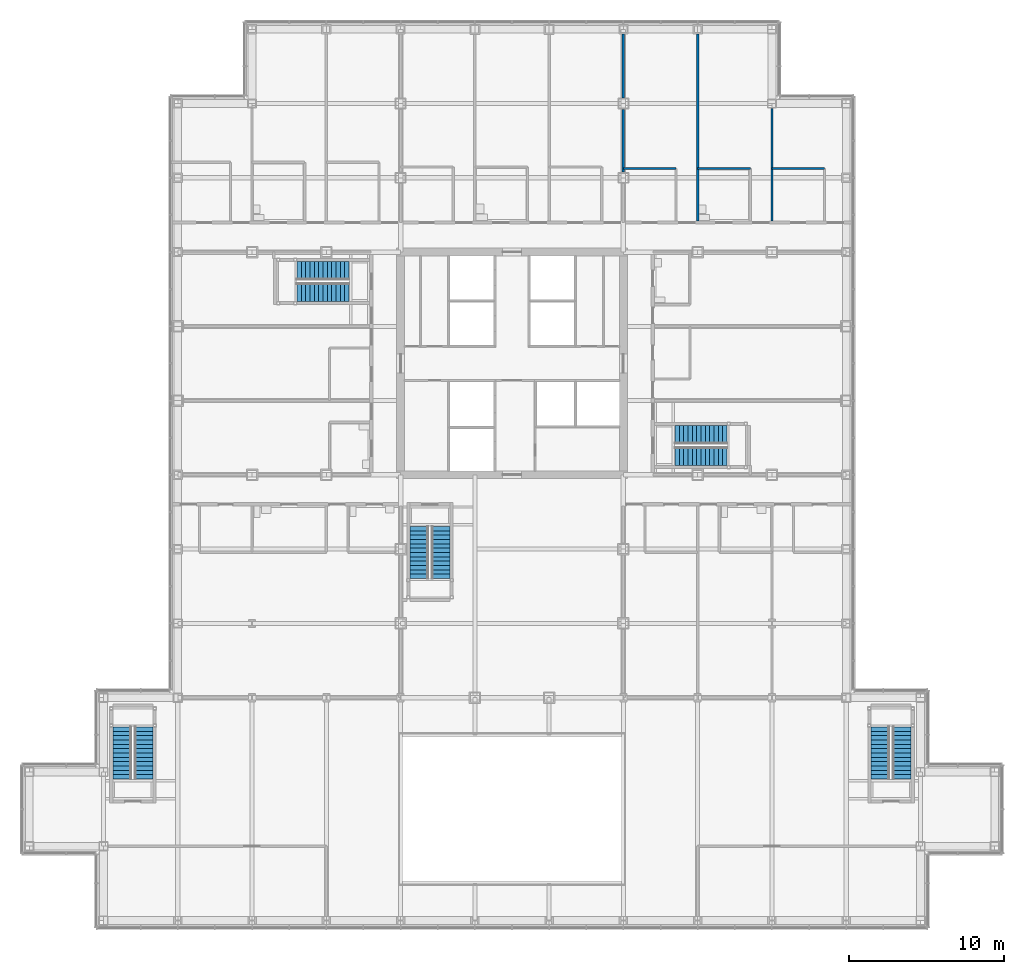
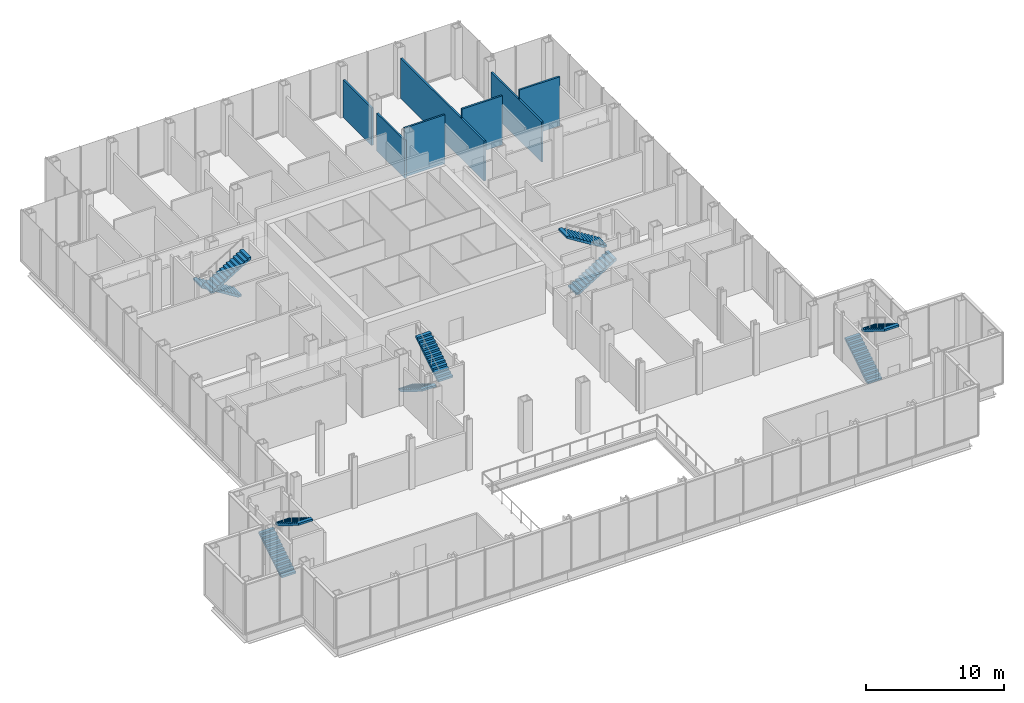
# One storey, part 24 of 26: 10 stair flights, 7 walls, 5 elements without a shape of their own.
"""IFC4 building model written with IfcOpenShell, lengths in metres."""

from ifc_helpers import new_model, si_unit, direction, frame, frame_2d, origin, place, context, subcontext, project, spatial, polyline, rectangle, outline, extrude, material, layer, layer_set, type_object, element, aggregate, save


model = new_model("IFC4")

# Units and contexts
model_context = context("Model", 3, precision=1e-05, world=origin(), true_north=direction((0.0, 1.0)))
body_context = subcontext(model_context, "Body", "Model", "MODEL_VIEW")
ifc_project = project(units=[si_unit("LENGTHUNIT", "METRE"), si_unit("AREAUNIT", "SQUARE_METRE"), si_unit("VOLUMEUNIT", "CUBIC_METRE"), si_unit("PLANEANGLEUNIT", "RADIAN"), si_unit("MASSUNIT", "GRAM", prefix="KILO")], contexts=[model_context])

# Site, building, storey
site_placement = place(None, origin())
site = spatial("IfcSite", under=ifc_project, at=site_placement, CompositionType="ELEMENT")
building_placement = place(site_placement, origin())
building = spatial("IfcBuilding", under=site, at=building_placement, Name="Kvirike Care Tower", CompositionType="ELEMENT")
storey_placement = place(building_placement, frame((0.0, 0.0, 18.0)))
storey = spatial("IfcBuildingStorey", under=building, at=storey_placement, Name="L04", CompositionType="ELEMENT", Elevation=18.0)

# Walls
ifc_material_1 = material(Name="Plasterboard partition", Category="gypsum")
ifc_layer = layer(ifc_material_1, 0.14990234375)
ifc_layer_set = layer_set([ifc_layer], Name="CLINIC PARTITION 150")
wall_type = type_object("IfcWallType", Name="CLINIC PARTITION 150", PredefinedType="PARTITIONING", material=ifc_layer_set)
wall_1_placement = place(storey_placement, frame((41.800048828125, 48.60009765625, 0.0), z_axis=(0.0, 0.0, 1.0), x_axis=(-1.0, 0.0, 0.0)))
element("IfcWall", 1, at=wall_1_placement, inside=storey, type_object=wall_type, Name="Clinic Partition 150 L04", PredefinedType="PARTITIONING", context=body_context, shape_type="SweptSolid", body=[
    extrude(rectangle(XDim=3.400146484375, YDim=0.14990234375, at=frame_2d((1.7001953125, 0.0))), origin(), (0.0, 0.0, 1.0), 4.330078125),
])
for number, where, z_axis, x_axis, name in (
    (2, (37.0, 48.60009765625, 0.0), (0.0, 0.0, 1.0), (-1.0, 0.0, 0.0), "Clinic Partition 150 L04"),
    (3, (32.199951171875, 48.60009765625, 0.0), (0.0, 0.0, 1.0), (-1.0, 0.0, 0.0), "Clinic Partition 150 L04"),
):
    element("IfcWall", number, at=place(storey_placement, frame(where, z_axis=z_axis, x_axis=x_axis)), inside=storey, type_object=wall_type, Name=name, PredefinedType="PARTITIONING", context=body_context, shape_type="SweptSolid", body=[
        extrude(rectangle(XDim=3.39990234375, YDim=0.14990234375, at=frame_2d((1.699951171875, 0.0))), origin(), (0.0, 0.0, 1.0), 4.330078125),
    ])
wall_2_placement = place(storey_placement, frame((38.39990234375, 52.47998046875, 0.0), z_axis=(0.0, 0.0, 1.0), x_axis=(0.0, -1.0, 0.0)))
element("IfcWall", 4, at=wall_2_placement, inside=storey, type_object=wall_type, Name="Clinic Partition 150 L04", PredefinedType="PARTITIONING", context=body_context, shape_type="SweptSolid", body=[
    extrude(rectangle(XDim=7.280029296875, YDim=0.14990234375, at=frame_2d((3.64013671875, 0.0))), origin(), (0.0, 0.0, 1.0), 3.550048828125),
])
wall_3_placement = place(storey_placement, frame((33.60009765625, 57.280029296875, 0.0), z_axis=(0.0, 0.0, 1.0), x_axis=(0.0, -1.0, 0.0)))
element("IfcWall", 5, at=wall_3_placement, inside=storey, type_object=wall_type, Name="Clinic Partition 150 L04", PredefinedType="PARTITIONING", context=body_context, shape_type="SweptSolid", body=[
    extrude(rectangle(XDim=12.080078125, YDim=0.14990234375, at=frame_2d((6.0400390625, 0.0))), origin(), (0.0, 0.0, 1.0), 3.550048828125),
])
wall_4_placement = place(storey_placement, frame((28.800048828125, 48.3701171875, 0.0), z_axis=(0.0, 0.0, 1.0), x_axis=(0.0, 1.0, 0.0)))
element("IfcWall", 6, at=wall_4_placement, inside=storey, type_object=wall_type, Name="Clinic Partition 150 L04", PredefinedType="PARTITIONING", context=body_context, shape_type="SweptSolid", body=[
    extrude(rectangle(XDim=4.059814453125, YDim=0.14990234375, at=frame_2d((2.02978515625, 0.0))), origin(), (0.0, 0.0, 1.0), 3.320068359375),
])
wall_5_placement = place(storey_placement, frame((28.800048828125, 53.169921875, 0.0), z_axis=(0.0, 0.0, 1.0), x_axis=(0.0, 1.0, 0.0)))
element("IfcWall", 7, at=wall_5_placement, inside=storey, type_object=wall_type, Name="Clinic Partition 150 L04", PredefinedType="PARTITIONING", context=body_context, shape_type="SweptSolid", body=[
    extrude(rectangle(XDim=4.110107421875, YDim=0.14990234375, at=frame_2d((2.05517578125, 0.0))), origin(), (0.0, 0.0, 1.0), 3.320068359375),
])

# Stair, stair flights
ifc_material_2 = material(Name="Concrete C35/45", Category="concrete")
stair_type = type_object("IfcStairType", Name="STAIR 26 RISERS", PredefinedType="HALF_TURN_STAIR", material=ifc_material_2)
stair_1_placement = place(storey_placement, origin())
stair_1 = element("IfcStair", 8, at=stair_1_placement, inside=storey, type_object=stair_type, Name="Stair 1 L04", PredefinedType="HALF_TURN_STAIR")
ifc_material_3 = material(Name="Concrete C35/45", Category="concrete")
stair_flight_type = type_object("IfcStairFlightType", Name="FLIGHT 13 RISERS", PredefinedType="STRAIGHT", material=ifc_material_3)
stair_flight_1_placement = place(storey_placement, frame((11.06005859375, 42.0, 0.0), z_axis=(0.0, 0.0, 1.0), x_axis=(-1.0, 0.0, 0.0)))
stair_flight_1 = element("IfcStairFlight", 9, at=stair_flight_1_placement, type_object=stair_flight_type, Name="Stair S1 flight 1 L04-L05", NumberOfRisers=13, NumberOfTreads=12, PredefinedType="STRAIGHT", RiserHeight=0.173076923, TreadLength=0.28, context=body_context, shape_type="SweptSolid", body=[
    extrude(outline(polyline([(0.0, 0.0), (0.0, 0.173095703125), (0.280029296875, 0.173095703125), (0.280029296875, 0.34619140625), (0.56005859375, 0.34619140625), (0.56005859375, 0.519287109375), (0.840087890625, 0.519287109375), (0.840087890625, 0.6923828125), (1.1201171875, 0.6923828125), (1.1201171875, 0.865478515625), (1.39990234375, 0.865478515625), (1.39990234375, 1.03857421875), (1.679931640625, 1.03857421875), (1.679931640625, 1.21142578125), (1.9599609375, 1.21142578125), (1.9599609375, 1.384521484375), (2.239990234375, 1.384521484375), (2.239990234375, 1.5576171875), (2.52001953125, 1.5576171875), (2.52001953125, 1.730712890625), (2.800048828125, 1.730712890625), (2.800048828125, 1.90380859375), (3.080078125, 1.90380859375), (3.080078125, 2.076904296875), (3.360107421875, 2.076904296875), (3.360107421875, 2.25), (3.360107421875, 1.900634765625), (0.28515625, 0.0), (0.0, 0.0)])), frame((0.0, 0.60009765625, 0.0), z_axis=(0.0, -1.0, 0.0), x_axis=(1.0, 0.0, 0.0)), (0.0, 0.0, 1.0), 1.199951171875),
])
stair_flight_2_placement = place(storey_placement, frame((7.699951171875, 40.60009765625, 2.25), z_axis=(0.0, 0.0, 1.0), x_axis=(1.0, 0.0, 0.0)))
stair_flight_2 = element("IfcStairFlight", 10, at=stair_flight_2_placement, type_object=stair_flight_type, Name="Stair S1 flight 2 L04-L05", NumberOfRisers=13, NumberOfTreads=12, PredefinedType="STRAIGHT", RiserHeight=0.173076923, TreadLength=0.28, context=body_context, shape_type="SweptSolid", body=[
    extrude(outline(polyline([(0.0, 0.0), (0.0, 0.173095703125), (0.280029296875, 0.173095703125), (0.280029296875, 0.34619140625), (0.56005859375, 0.34619140625), (0.56005859375, 0.519287109375), (0.840087890625, 0.519287109375), (0.840087890625, 0.6923828125), (1.1201171875, 0.6923828125), (1.1201171875, 0.865478515625), (1.39990234375, 0.865478515625), (1.39990234375, 1.03857421875), (1.679931640625, 1.03857421875), (1.679931640625, 1.21142578125), (1.9599609375, 1.21142578125), (1.9599609375, 1.384521484375), (2.239990234375, 1.384521484375), (2.239990234375, 1.5576171875), (2.52001953125, 1.5576171875), (2.52001953125, 1.730712890625), (2.800048828125, 1.730712890625), (2.800048828125, 1.90380859375), (3.080078125, 1.90380859375), (3.080078125, 2.076904296875), (3.360107421875, 2.076904296875), (3.360107421875, 2.25), (3.360107421875, 1.900634765625), (0.28515625, 0.0), (0.0, 0.0)])), frame((0.0, 0.60009765625, 0.0), z_axis=(0.0, -1.0, 0.0), x_axis=(1.0, 0.0, 0.0)), (0.0, 0.0, 1.0), 1.199951171875),
])
aggregate(stair_1, [stair_flight_1, stair_flight_2])

stair_2_placement = place(storey_placement, origin())
stair_2 = element("IfcStair", 11, at=stair_2_placement, inside=storey, type_object=stair_type, Name="Stair 2 L04", PredefinedType="HALF_TURN_STAIR")
stair_flight_3_placement = place(storey_placement, frame((32.139892578125, 30.0, 0.0), z_axis=(0.0, 0.0, 1.0), x_axis=(1.0, 0.0, 0.0)))
stair_flight_3 = element("IfcStairFlight", 12, at=stair_flight_3_placement, type_object=stair_flight_type, Name="Stair S2 flight 1 L04-L05", NumberOfRisers=13, NumberOfTreads=12, PredefinedType="STRAIGHT", RiserHeight=0.173076923, TreadLength=0.28, context=body_context, shape_type="SweptSolid", body=[
    extrude(outline(polyline([(0.0, 0.0), (0.0, 0.173095703125), (0.280029296875, 0.173095703125), (0.280029296875, 0.34619140625), (0.56005859375, 0.34619140625), (0.56005859375, 0.519287109375), (0.840087890625, 0.519287109375), (0.840087890625, 0.6923828125), (1.1201171875, 0.6923828125), (1.1201171875, 0.865478515625), (1.39990234375, 0.865478515625), (1.39990234375, 1.03857421875), (1.679931640625, 1.03857421875), (1.679931640625, 1.21142578125), (1.9599609375, 1.21142578125), (1.9599609375, 1.384521484375), (2.239990234375, 1.384521484375), (2.239990234375, 1.5576171875), (2.52001953125, 1.5576171875), (2.52001953125, 1.730712890625), (2.800048828125, 1.730712890625), (2.800048828125, 1.90380859375), (3.080078125, 1.90380859375), (3.080078125, 2.076904296875), (3.360107421875, 2.076904296875), (3.360107421875, 2.25), (3.360107421875, 1.900634765625), (0.28515625, 0.0), (0.0, 0.0)])), frame((0.0, 0.60009765625, 0.0), z_axis=(0.0, -1.0, 0.0), x_axis=(1.0, 0.0, 0.0)), (0.0, 0.0, 1.0), 1.199951171875),
])
stair_flight_4_placement = place(storey_placement, frame((35.5, 31.39990234375, 2.25), z_axis=(0.0, 0.0, 1.0), x_axis=(-1.0, 0.0, 0.0)))
stair_flight_4 = element("IfcStairFlight", 13, at=stair_flight_4_placement, type_object=stair_flight_type, Name="Stair S2 flight 2 L04-L05", NumberOfRisers=13, NumberOfTreads=12, PredefinedType="STRAIGHT", RiserHeight=0.173076923, TreadLength=0.28, context=body_context, shape_type="SweptSolid", body=[
    extrude(outline(polyline([(0.0, 0.0), (0.0, 0.173095703125), (0.280029296875, 0.173095703125), (0.280029296875, 0.34619140625), (0.56005859375, 0.34619140625), (0.56005859375, 0.519287109375), (0.840087890625, 0.519287109375), (0.840087890625, 0.6923828125), (1.1201171875, 0.6923828125), (1.1201171875, 0.865478515625), (1.39990234375, 0.865478515625), (1.39990234375, 1.03857421875), (1.679931640625, 1.03857421875), (1.679931640625, 1.21142578125), (1.9599609375, 1.21142578125), (1.9599609375, 1.384521484375), (2.239990234375, 1.384521484375), (2.239990234375, 1.5576171875), (2.52001953125, 1.5576171875), (2.52001953125, 1.730712890625), (2.800048828125, 1.730712890625), (2.800048828125, 1.90380859375), (3.080078125, 1.90380859375), (3.080078125, 2.076904296875), (3.360107421875, 2.076904296875), (3.360107421875, 2.25), (3.360107421875, 1.900634765625), (0.28515625, 0.0), (0.0, 0.0)])), frame((0.0, 0.60009765625, 0.0), z_axis=(0.0, -1.0, 0.0), x_axis=(1.0, 0.0, 0.0)), (0.0, 0.0, 1.0), 1.199951171875),
])
aggregate(stair_2, [stair_flight_3, stair_flight_4])

stair_3_placement = place(storey_placement, origin())
stair_3 = element("IfcStair", 14, at=stair_3_placement, inside=storey, type_object=stair_type, Name="Stair 3 L04", PredefinedType="HALF_TURN_STAIR")
stair_flight_5_placement = place(storey_placement, frame((-3.60009765625, 9.139892578125, 0.0), z_axis=(0.0, 0.0, 1.0), x_axis=(0.0, 1.0, 0.0)))
stair_flight_5 = element("IfcStairFlight", 15, at=stair_flight_5_placement, type_object=stair_flight_type, Name="Stair S3 flight 1 L04-L05", NumberOfRisers=13, NumberOfTreads=12, PredefinedType="STRAIGHT", RiserHeight=0.173076923, TreadLength=0.28, context=body_context, shape_type="SweptSolid", body=[
    extrude(outline(polyline([(0.0, 0.0), (0.0, 0.173095703125), (0.280029296875, 0.173095703125), (0.280029296875, 0.34619140625), (0.56005859375, 0.34619140625), (0.56005859375, 0.519287109375), (0.840087890625, 0.519287109375), (0.840087890625, 0.6923828125), (1.1201171875, 0.6923828125), (1.1201171875, 0.865478515625), (1.39990234375, 0.865478515625), (1.39990234375, 1.03857421875), (1.679931640625, 1.03857421875), (1.679931640625, 1.21142578125), (1.9599609375, 1.21142578125), (1.9599609375, 1.384521484375), (2.239990234375, 1.384521484375), (2.239990234375, 1.5576171875), (2.52001953125, 1.5576171875), (2.52001953125, 1.730712890625), (2.800048828125, 1.730712890625), (2.800048828125, 1.90380859375), (3.080078125, 1.90380859375), (3.080078125, 2.076904296875), (3.360107421875, 2.076904296875), (3.360107421875, 2.25), (3.360107421875, 1.900634765625), (0.28515625, 0.0), (0.0, 0.0)])), frame((0.0, 0.60009765625, 0.0), z_axis=(0.0, -1.0, 0.0), x_axis=(1.0, 0.0, 0.0)), (0.0, 0.0, 1.0), 1.199951171875),
])
stair_flight_6_placement = place(storey_placement, frame((-2.199951171875, 12.5, 2.25), z_axis=(0.0, 0.0, 1.0), x_axis=(0.0, -1.0, 0.0)))
stair_flight_6 = element("IfcStairFlight", 16, at=stair_flight_6_placement, type_object=stair_flight_type, Name="Stair S3 flight 2 L04-L05", NumberOfRisers=13, NumberOfTreads=12, PredefinedType="STRAIGHT", RiserHeight=0.173076923, TreadLength=0.28, context=body_context, shape_type="SweptSolid", body=[
    extrude(outline(polyline([(0.0, 0.0), (0.0, 0.173095703125), (0.280029296875, 0.173095703125), (0.280029296875, 0.34619140625), (0.56005859375, 0.34619140625), (0.56005859375, 0.519287109375), (0.840087890625, 0.519287109375), (0.840087890625, 0.6923828125), (1.1201171875, 0.6923828125), (1.1201171875, 0.865478515625), (1.39990234375, 0.865478515625), (1.39990234375, 1.03857421875), (1.679931640625, 1.03857421875), (1.679931640625, 1.21142578125), (1.9599609375, 1.21142578125), (1.9599609375, 1.384521484375), (2.239990234375, 1.384521484375), (2.239990234375, 1.5576171875), (2.52001953125, 1.5576171875), (2.52001953125, 1.730712890625), (2.800048828125, 1.730712890625), (2.800048828125, 1.90380859375), (3.080078125, 1.90380859375), (3.080078125, 2.076904296875), (3.360107421875, 2.076904296875), (3.360107421875, 2.25), (3.360107421875, 1.900634765625), (0.28515625, 0.0), (0.0, 0.0)])), frame((0.0, 0.60009765625, 0.0), z_axis=(0.0, -1.0, 0.0), x_axis=(1.0, 0.0, 0.0)), (0.0, 0.0, 1.0), 1.199951171875),
])
aggregate(stair_3, [stair_flight_5, stair_flight_6])

stair_4_placement = place(storey_placement, origin())
stair_4 = element("IfcStair", 17, at=stair_4_placement, inside=storey, type_object=stair_type, Name="Stair 4 L04", PredefinedType="HALF_TURN_STAIR")
stair_flight_7_placement = place(storey_placement, frame((45.39990234375, 9.139892578125, 0.0), z_axis=(0.0, 0.0, 1.0), x_axis=(0.0, 1.0, 0.0)))
stair_flight_7 = element("IfcStairFlight", 18, at=stair_flight_7_placement, type_object=stair_flight_type, Name="Stair S4 flight 1 L04-L05", NumberOfRisers=13, NumberOfTreads=12, PredefinedType="STRAIGHT", RiserHeight=0.173076923, TreadLength=0.28, context=body_context, shape_type="SweptSolid", body=[
    extrude(outline(polyline([(0.0, 0.0), (0.0, 0.173095703125), (0.280029296875, 0.173095703125), (0.280029296875, 0.34619140625), (0.56005859375, 0.34619140625), (0.56005859375, 0.519287109375), (0.840087890625, 0.519287109375), (0.840087890625, 0.6923828125), (1.1201171875, 0.6923828125), (1.1201171875, 0.865478515625), (1.39990234375, 0.865478515625), (1.39990234375, 1.03857421875), (1.679931640625, 1.03857421875), (1.679931640625, 1.21142578125), (1.9599609375, 1.21142578125), (1.9599609375, 1.384521484375), (2.239990234375, 1.384521484375), (2.239990234375, 1.5576171875), (2.52001953125, 1.5576171875), (2.52001953125, 1.730712890625), (2.800048828125, 1.730712890625), (2.800048828125, 1.90380859375), (3.080078125, 1.90380859375), (3.080078125, 2.076904296875), (3.360107421875, 2.076904296875), (3.360107421875, 2.25), (3.360107421875, 1.900634765625), (0.28515625, 0.0), (0.0, 0.0)])), frame((0.0, 0.60009765625, 0.0), z_axis=(0.0, -1.0, 0.0), x_axis=(1.0, 0.0, 0.0)), (0.0, 0.0, 1.0), 1.199951171875),
])
stair_flight_8_placement = place(storey_placement, frame((46.800048828125, 12.5, 2.25), z_axis=(0.0, 0.0, 1.0), x_axis=(0.0, -1.0, 0.0)))
stair_flight_8 = element("IfcStairFlight", 19, at=stair_flight_8_placement, type_object=stair_flight_type, Name="Stair S4 flight 2 L04-L05", NumberOfRisers=13, NumberOfTreads=12, PredefinedType="STRAIGHT", RiserHeight=0.173076923, TreadLength=0.28, context=body_context, shape_type="SweptSolid", body=[
    extrude(outline(polyline([(0.0, 0.0), (0.0, 0.173095703125), (0.280029296875, 0.173095703125), (0.280029296875, 0.34619140625), (0.56005859375, 0.34619140625), (0.56005859375, 0.519287109375), (0.840087890625, 0.519287109375), (0.840087890625, 0.6923828125), (1.1201171875, 0.6923828125), (1.1201171875, 0.865478515625), (1.39990234375, 0.865478515625), (1.39990234375, 1.03857421875), (1.679931640625, 1.03857421875), (1.679931640625, 1.21142578125), (1.9599609375, 1.21142578125), (1.9599609375, 1.384521484375), (2.239990234375, 1.384521484375), (2.239990234375, 1.5576171875), (2.52001953125, 1.5576171875), (2.52001953125, 1.730712890625), (2.800048828125, 1.730712890625), (2.800048828125, 1.90380859375), (3.080078125, 1.90380859375), (3.080078125, 2.076904296875), (3.360107421875, 2.076904296875), (3.360107421875, 2.25), (3.360107421875, 1.900634765625), (0.28515625, 0.0), (0.0, 0.0)])), frame((0.0, 0.60009765625, 0.0), z_axis=(0.0, -1.0, 0.0), x_axis=(1.0, 0.0, 0.0)), (0.0, 0.0, 1.0), 1.199951171875),
])
aggregate(stair_4, [stair_flight_7, stair_flight_8])

stair_5_placement = place(storey_placement, origin())
stair_5 = element("IfcStair", 20, at=stair_5_placement, inside=storey, type_object=stair_type, Name="Stair 5 L04", PredefinedType="HALF_TURN_STAIR")
stair_flight_9_placement = place(storey_placement, frame((15.60009765625, 25.4599609375, 0.0), z_axis=(0.0, 0.0, 1.0), x_axis=(0.0, -1.0, 0.0)))
stair_flight_9 = element("IfcStairFlight", 21, at=stair_flight_9_placement, type_object=stair_flight_type, Name="Stair S5 flight 1 L04-L05", NumberOfRisers=13, NumberOfTreads=12, PredefinedType="STRAIGHT", RiserHeight=0.173076923, TreadLength=0.28, context=body_context, shape_type="SweptSolid", body=[
    extrude(outline(polyline([(0.0, 0.0), (0.0, 0.173095703125), (0.280029296875, 0.173095703125), (0.280029296875, 0.34619140625), (0.56005859375, 0.34619140625), (0.56005859375, 0.519287109375), (0.840087890625, 0.519287109375), (0.840087890625, 0.6923828125), (1.1201171875, 0.6923828125), (1.1201171875, 0.865478515625), (1.39990234375, 0.865478515625), (1.39990234375, 1.03857421875), (1.679931640625, 1.03857421875), (1.679931640625, 1.21142578125), (1.9599609375, 1.21142578125), (1.9599609375, 1.384521484375), (2.239990234375, 1.384521484375), (2.239990234375, 1.5576171875), (2.52001953125, 1.5576171875), (2.52001953125, 1.730712890625), (2.800048828125, 1.730712890625), (2.800048828125, 1.90380859375), (3.080078125, 1.90380859375), (3.080078125, 2.076904296875), (3.360107421875, 2.076904296875), (3.360107421875, 2.25), (3.360107421875, 1.900634765625), (0.28515625, 0.0), (0.0, 0.0)])), frame((0.0, 0.60009765625, 0.0), z_axis=(0.0, -1.0, 0.0), x_axis=(1.0, 0.0, 0.0)), (0.0, 0.0, 1.0), 1.199951171875),
])
stair_flight_10_placement = place(storey_placement, frame((17.0, 22.10009765625, 2.25), z_axis=(0.0, 0.0, 1.0), x_axis=(0.0, 1.0, 0.0)))
stair_flight_10 = element("IfcStairFlight", 22, at=stair_flight_10_placement, type_object=stair_flight_type, Name="Stair S5 flight 2 L04-L05", NumberOfRisers=13, NumberOfTreads=12, PredefinedType="STRAIGHT", RiserHeight=0.173076923, TreadLength=0.28, context=body_context, shape_type="SweptSolid", body=[
    extrude(outline(polyline([(0.0, 0.0), (0.0, 0.173095703125), (0.280029296875, 0.173095703125), (0.280029296875, 0.34619140625), (0.56005859375, 0.34619140625), (0.56005859375, 0.519287109375), (0.840087890625, 0.519287109375), (0.840087890625, 0.6923828125), (1.1201171875, 0.6923828125), (1.1201171875, 0.865478515625), (1.39990234375, 0.865478515625), (1.39990234375, 1.03857421875), (1.679931640625, 1.03857421875), (1.679931640625, 1.21142578125), (1.9599609375, 1.21142578125), (1.9599609375, 1.384521484375), (2.239990234375, 1.384521484375), (2.239990234375, 1.5576171875), (2.52001953125, 1.5576171875), (2.52001953125, 1.730712890625), (2.800048828125, 1.730712890625), (2.800048828125, 1.90380859375), (3.080078125, 1.90380859375), (3.080078125, 2.076904296875), (3.360107421875, 2.076904296875), (3.360107421875, 2.25), (3.360107421875, 1.900634765625), (0.28515625, 0.0), (0.0, 0.0)])), frame((0.0, 0.60009765625, 0.0), z_axis=(0.0, -1.0, 0.0), x_axis=(1.0, 0.0, 0.0)), (0.0, 0.0, 1.0), 1.199951171875),
])
aggregate(stair_5, [stair_flight_9, stair_flight_10])

save(model, "model.ifc")
